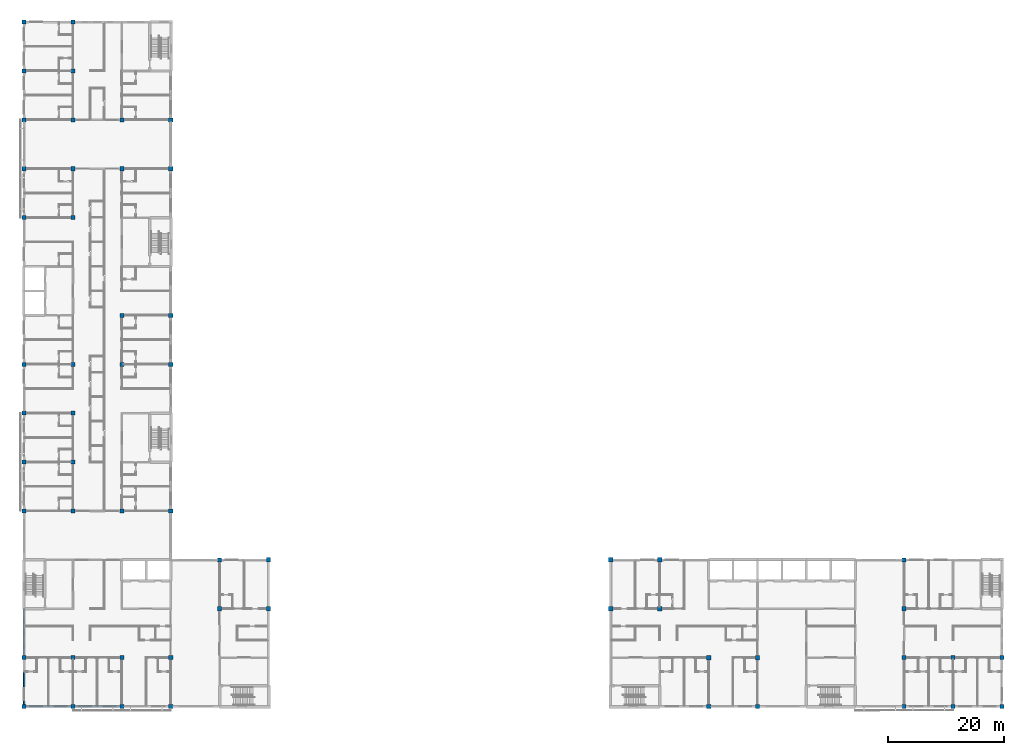
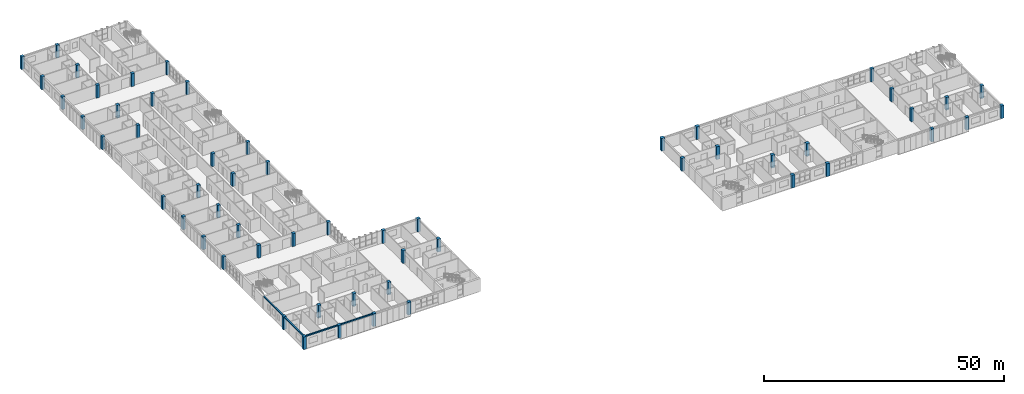
# One storey, part 1 of 46: 56 columns, 4 beams.
"""IFC4 building model written with IfcOpenShell, lengths in metres."""

from ifc_helpers import new_model, si_unit, direction, frame, origin, origin_2d, place, context, subcontext, project, spatial, rectangle, extrude, material, material_profile, profile_set, type_object, element, save


model = new_model("IFC4")

# Units and contexts
model_context = context("Model", 3, precision=1e-05, world=origin(), true_north=direction((0.0, 1.0)))
body_context = subcontext(model_context, "Body", "Model", "MODEL_VIEW")
ifc_project = project(units=[si_unit("LENGTHUNIT", "METRE"), si_unit("AREAUNIT", "SQUARE_METRE"), si_unit("VOLUMEUNIT", "CUBIC_METRE"), si_unit("PLANEANGLEUNIT", "RADIAN"), si_unit("MASSUNIT", "GRAM", prefix="KILO")], contexts=[model_context])

# Site, building, storey
site_placement = place(None, origin())
site = spatial("IfcSite", under=ifc_project, at=site_placement, CompositionType="ELEMENT")
building_placement = place(site_placement, origin())
building = spatial("IfcBuilding", under=site, at=building_placement, Name="Yavir Park General Hospital", CompositionType="ELEMENT")
storey_placement = place(building_placement, frame((0.0, 0.0, 18.89990234375)))
storey = spatial("IfcBuildingStorey", under=building, at=storey_placement, Name="L04", CompositionType="ELEMENT", Elevation=18.89990234375)

# Columns
ifc_material_1 = material(Name="Concrete C40/50", Category="concrete")
ifc_material_profile_1 = material_profile(ifc_material_1, rectangle(XDim=0.699951171875, YDim=0.699951171875, at=origin_2d()), Name="RC700x700")
ifc_profile_set_1 = profile_set([ifc_material_profile_1], Name="Concrete C40/50")
column_type_1 = type_object("IfcColumnType", Name="RC COLUMN 700x700", PredefinedType="COLUMN", material=ifc_profile_set_1)
for number, where, z_axis, x_axis, name in (
    (1, (0.0, 0.0, 0.0), (0.0, 0.0, 1.0), (1.0, 0.0, 0.0), "C:L04:1A"),
    (2, (8.39990234375, 0.0, 0.0), (0.0, 0.0, 1.0), (1.0, 0.0, 0.0), "C:L04:2A"),
    (3, (16.800048828125, 0.0, 0.0), (0.0, 0.0, 1.0), (1.0, 0.0, 0.0), "C:L04:3A"),
    (4, (25.199951171875, 0.0, 0.0), (0.0, 0.0, 1.0), (1.0, 0.0, 0.0), "C:L04:4A"),
    (5, (151.199951171875, 0.0, 0.0), (0.0, 0.0, 1.0), (1.0, 0.0, 0.0), "C:L04:19A"),
    (6, (159.60009765625, 0.0, 0.0), (0.0, 0.0, 1.0), (1.0, 0.0, 0.0), "C:L04:20A"),
    (7, (168.0, 0.0, 0.0), (0.0, 0.0, 1.0), (1.0, 0.0, 0.0), "C:L04:21A"),
    (8, (0.0, 8.39990234375, 0.0), (0.0, 0.0, 1.0), (1.0, 0.0, 0.0), "C:L04:1B"),
    (9, (8.39990234375, 8.39990234375, 0.0), (0.0, 0.0, 1.0), (1.0, 0.0, 0.0), "C:L04:2B"),
    (10, (16.800048828125, 8.39990234375, 0.0), (0.0, 0.0, 1.0), (1.0, 0.0, 0.0), "C:L04:3B"),
    (11, (25.199951171875, 8.39990234375, 0.0), (0.0, 0.0, 1.0), (1.0, 0.0, 0.0), "C:L04:4B"),
    (12, (151.199951171875, 8.39990234375, 0.0), (0.0, 0.0, 1.0), (1.0, 0.0, 0.0), "C:L04:19B"),
    (13, (159.60009765625, 8.39990234375, 0.0), (0.0, 0.0, 1.0), (1.0, 0.0, 0.0), "C:L04:20B"),
    (14, (168.0, 8.39990234375, 0.0), (0.0, 0.0, 1.0), (1.0, 0.0, 0.0), "C:L04:21B"),
    (15, (33.60009765625, 16.800048828125, 0.0), (0.0, 0.0, 1.0), (1.0, 0.0, 0.0), "C:L04:5C"),
    (16, (151.199951171875, 16.800048828125, 0.0), (0.0, 0.0, 1.0), (1.0, 0.0, 0.0), "C:L04:19C"),
    (17, (33.60009765625, 25.199951171875, 0.0), (0.0, 0.0, 1.0), (1.0, 0.0, 0.0), "C:L04:5D"),
    (18, (151.199951171875, 25.199951171875, 0.0), (0.0, 0.0, 1.0), (1.0, 0.0, 0.0), "C:L04:19D"),
    (19, (0.0, 33.60009765625, 0.0), (0.0, 0.0, 1.0), (1.0, 0.0, 0.0), "C:L04:1E"),
    (20, (8.39990234375, 33.60009765625, 0.0), (0.0, 0.0, 1.0), (1.0, 0.0, 0.0), "C:L04:2E"),
    (21, (16.800048828125, 33.60009765625, 0.0), (0.0, 0.0, 1.0), (1.0, 0.0, 0.0), "C:L04:3E"),
    (22, (25.199951171875, 33.60009765625, 0.0), (0.0, 0.0, 1.0), (1.0, 0.0, 0.0), "C:L04:4E"),
    (23, (0.0, 42.0, 0.0), (0.0, 0.0, 1.0), (1.0, 0.0, 0.0), "C:L04:1F"),
    (24, (8.39990234375, 42.0, 0.0), (0.0, 0.0, 1.0), (1.0, 0.0, 0.0), "C:L04:2F"),
    (25, (0.0, 50.39990234375, 0.0), (0.0, 0.0, 1.0), (1.0, 0.0, 0.0), "C:L04:1G"),
    (26, (8.39990234375, 50.39990234375, 0.0), (0.0, 0.0, 1.0), (1.0, 0.0, 0.0), "C:L04:2G"),
    (27, (0.0, 58.800048828125, 0.0), (0.0, 0.0, 1.0), (1.0, 0.0, 0.0), "C:L04:1H"),
    (28, (8.39990234375, 58.800048828125, 0.0), (0.0, 0.0, 1.0), (1.0, 0.0, 0.0), "C:L04:2H"),
    (29, (16.800048828125, 58.800048828125, 0.0), (0.0, 0.0, 1.0), (1.0, 0.0, 0.0), "C:L04:3H"),
    (30, (25.199951171875, 58.800048828125, 0.0), (0.0, 0.0, 1.0), (1.0, 0.0, 0.0), "C:L04:4H"),
    (31, (16.800048828125, 67.199951171875, 0.0), (0.0, 0.0, 1.0), (1.0, 0.0, 0.0), "C:L04:3J"),
    (32, (25.199951171875, 67.199951171875, 0.0), (0.0, 0.0, 1.0), (1.0, 0.0, 0.0), "C:L04:4J"),
    (33, (0.0, 84.0, 0.0), (0.0, 0.0, 1.0), (1.0, 0.0, 0.0), "C:L04:1L"),
    (34, (8.39990234375, 84.0, 0.0), (0.0, 0.0, 1.0), (1.0, 0.0, 0.0), "C:L04:2L"),
    (35, (0.0, 92.39990234375, 0.0), (0.0, 0.0, 1.0), (1.0, 0.0, 0.0), "C:L04:1M"),
    (36, (8.39990234375, 92.39990234375, 0.0), (0.0, 0.0, 1.0), (1.0, 0.0, 0.0), "C:L04:2M"),
    (37, (16.800048828125, 92.39990234375, 0.0), (0.0, 0.0, 1.0), (1.0, 0.0, 0.0), "C:L04:3M"),
    (38, (25.199951171875, 92.39990234375, 0.0), (0.0, 0.0, 1.0), (1.0, 0.0, 0.0), "C:L04:4M"),
    (39, (0.0, 100.800048828125, 0.0), (0.0, 0.0, 1.0), (1.0, 0.0, 0.0), "C:L04:1N"),
    (40, (8.39990234375, 100.800048828125, 0.0), (0.0, 0.0, 1.0), (1.0, 0.0, 0.0), "C:L04:2N"),
    (41, (16.800048828125, 100.800048828125, 0.0), (0.0, 0.0, 1.0), (1.0, 0.0, 0.0), "C:L04:3N"),
    (42, (25.199951171875, 100.800048828125, 0.0), (0.0, 0.0, 1.0), (1.0, 0.0, 0.0), "C:L04:4N"),
    (43, (0.0, 109.199951171875, 0.0), (0.0, 0.0, 1.0), (1.0, 0.0, 0.0), "C:L04:1P"),
    (44, (8.39990234375, 109.199951171875, 0.0), (0.0, 0.0, 1.0), (1.0, 0.0, 0.0), "C:L04:2P"),
    (45, (0.0, 117.60009765625, 0.0), (0.0, 0.0, 1.0), (1.0, 0.0, 0.0), "C:L04:1Q"),
    (46, (8.39990234375, 117.60009765625, 0.0), (0.0, 0.0, 1.0), (1.0, 0.0, 0.0), "C:L04:2Q"),
):
    element("IfcColumn", number, at=place(storey_placement, frame(where, z_axis=z_axis, x_axis=x_axis)), inside=storey, type_object=column_type_1, Name=name, PredefinedType="COLUMN", context=body_context, shape_type="SweptSolid", body=[
        extrude(rectangle(XDim=0.699951171875, YDim=0.699951171875, at=origin_2d()), origin(), (0.0, 0.0, 1.0), 3.260009765625),
    ])
ifc_material_2 = material(Name="Concrete C40/50", Category="concrete")
ifc_material_profile_2 = material_profile(ifc_material_2, rectangle(XDim=0.75, YDim=0.75, at=origin_2d()), Name="RC750x750")
ifc_profile_set_2 = profile_set([ifc_material_profile_2], Name="Concrete C40/50")
column_type_2 = type_object("IfcColumnType", Name="RC COLUMN 750x750", PredefinedType="COLUMN", material=ifc_profile_set_2)
for number, where, z_axis, x_axis, name in (
    (47, (117.60009765625, 0.0, 0.0), (0.0, 0.0, 1.0), (1.0, 0.0, 0.0), "C:L04:15A"),
    (48, (126.0, 0.0, 0.0), (0.0, 0.0, 1.0), (1.0, 0.0, 0.0), "C:L04:16A"),
    (49, (117.60009765625, 8.39990234375, 0.0), (0.0, 0.0, 1.0), (1.0, 0.0, 0.0), "C:L04:15B"),
    (50, (126.0, 8.39990234375, 0.0), (0.0, 0.0, 1.0), (1.0, 0.0, 0.0), "C:L04:16B"),
    (51, (42.0, 16.800048828125, 0.0), (0.0, 0.0, 1.0), (1.0, 0.0, 0.0), "C:L04:6C"),
    (52, (100.800048828125, 16.800048828125, 0.0), (0.0, 0.0, 1.0), (1.0, 0.0, 0.0), "C:L04:13C"),
    (53, (109.199951171875, 16.800048828125, 0.0), (0.0, 0.0, 1.0), (1.0, 0.0, 0.0), "C:L04:14C"),
    (54, (42.0, 25.199951171875, 0.0), (0.0, 0.0, 1.0), (1.0, 0.0, 0.0), "C:L04:6D"),
    (55, (100.800048828125, 25.199951171875, 0.0), (0.0, 0.0, 1.0), (1.0, 0.0, 0.0), "C:L04:13D"),
    (56, (109.199951171875, 25.199951171875, 0.0), (0.0, 0.0, 1.0), (1.0, 0.0, 0.0), "C:L04:14D"),
):
    element("IfcColumn", number, at=place(storey_placement, frame(where, z_axis=z_axis, x_axis=x_axis)), inside=storey, type_object=column_type_2, Name=name, PredefinedType="COLUMN", context=body_context, shape_type="SweptSolid", body=[
        extrude(rectangle(XDim=0.75, YDim=0.75, at=origin_2d()), origin(), (0.0, 0.0, 1.0), 3.260009765625),
    ])

# Beams
ifc_material_3 = material(Name="Concrete C35/45", Category="concrete")
ifc_material_profile_3 = material_profile(ifc_material_3, rectangle(XDim=0.300048828125, YDim=0.300048828125, at=origin_2d()), Name="RC300x300")
ifc_profile_set_3 = profile_set([ifc_material_profile_3], Name="Concrete C35/45")
beam_type = type_object("IfcBeamType", Name="RC BEAM 300x300 edge beam", PredefinedType="BEAM", material=ifc_profile_set_3)
for number, where, z_axis, x_axis, name in (
    (57, (0.35009765625, 0.0, 3.110107421875), (1.0, 0.0, 0.0), (0.0, 1.0, 0.0), "B:EDGE:L04:001"),
    (58, (8.75, 0.0, 3.110107421875), (1.0, 0.0, 0.0), (0.0, 1.0, 0.0), "B:EDGE:L04:002"),
    (59, (0.0, 0.35009765625, 3.110107421875), (0.0, 1.0, 0.0), (-1.0, 0.0, 0.0), "B:EDGE:L04:016"),
):
    element("IfcBeam", number, at=place(storey_placement, frame(where, z_axis=z_axis, x_axis=x_axis)), inside=storey, type_object=beam_type, Name=name, PredefinedType="BEAM", context=body_context, shape_type="SweptSolid", body=[
        extrude(rectangle(XDim=0.300048828125, YDim=0.300048828125, at=origin_2d()), origin(), (0.0, 0.0, 1.0), 7.699951171875),
    ])
beam_placement = place(storey_placement, frame((0.0, 8.75, 3.110107421875), z_axis=(0.0, 1.0, 0.0), x_axis=(-1.0, 0.0, 0.0)))
element("IfcBeam", 60, at=beam_placement, inside=storey, type_object=beam_type, Name="B:EDGE:L04:017", PredefinedType="BEAM", context=body_context, shape_type="SweptSolid", body=[
    extrude(rectangle(XDim=0.300048828125, YDim=0.300048828125, at=origin_2d()), origin(), (0.0, 0.0, 1.0), 8.050048828125),
])

save(model, "model.ifc")
